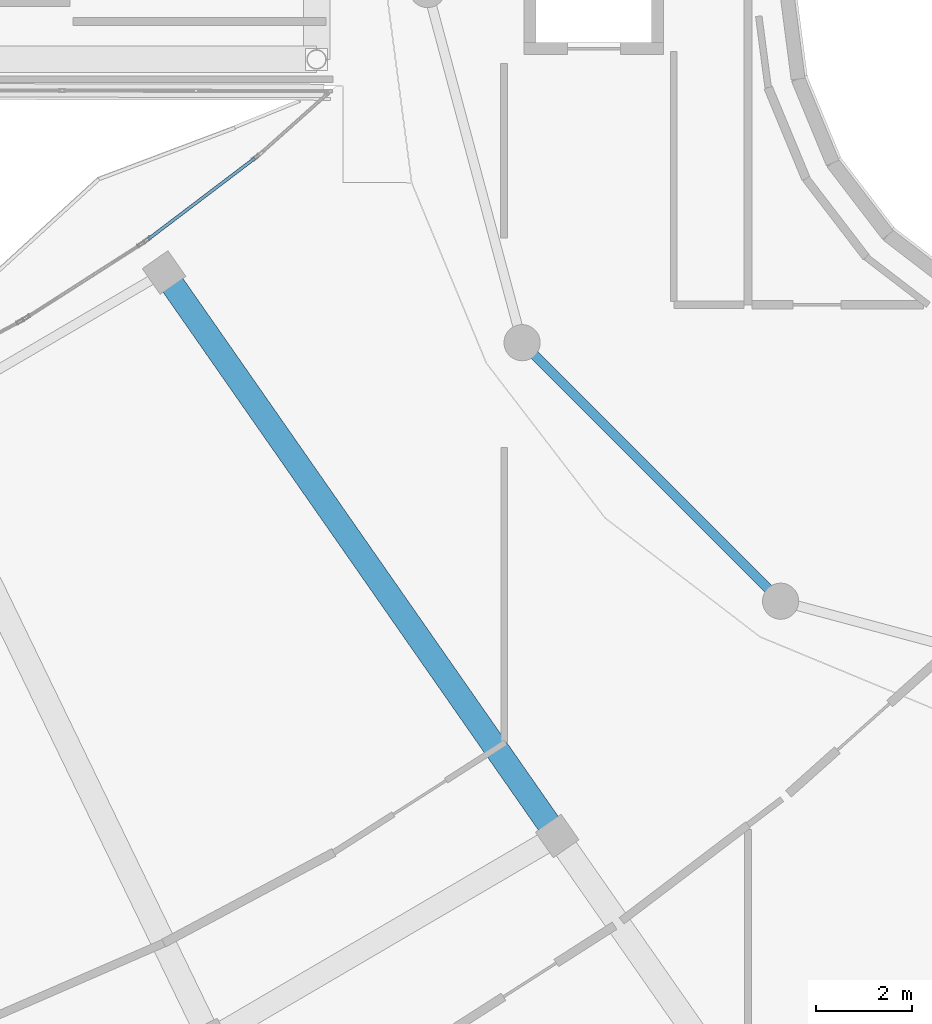
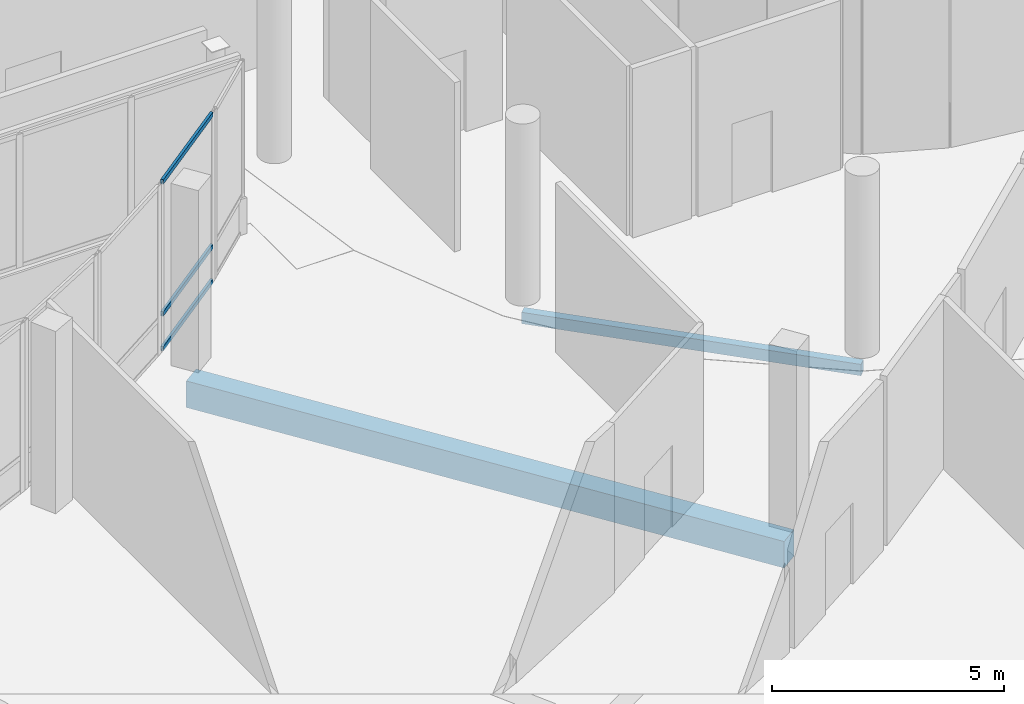
# One storey, part 45 of 155: 3 members, 2 beams, 1 element without a shape of its own.
"""IFC4 building model written with IfcOpenShell, lengths in metres."""

from ifc_helpers import new_model, si_unit, direction, frame, origin, origin_2d, place, context, subcontext, project, spatial, rectangle, hollow_rectangle, extrude, material, material_profile, profile_set, type_object, element, aggregate, save


model = new_model("IFC4")

# Units and contexts
model_context = context("Model", 3, precision=1e-05, world=origin(), true_north=direction((0.0, 1.0)))
body_context = subcontext(model_context, "Body", "Model", "MODEL_VIEW")
ifc_project = project(units=[si_unit("LENGTHUNIT", "METRE"), si_unit("AREAUNIT", "SQUARE_METRE"), si_unit("VOLUMEUNIT", "CUBIC_METRE"), si_unit("PLANEANGLEUNIT", "RADIAN"), si_unit("MASSUNIT", "GRAM", prefix="KILO")], contexts=[model_context])

# Site, building, storey
site_placement = place(None, origin())
site = spatial("IfcSite", under=ifc_project, at=site_placement, CompositionType="ELEMENT")
building_placement = place(site_placement, origin())
building = spatial("IfcBuilding", under=site, at=building_placement, Name="Selatvlak General Hospital", CompositionType="ELEMENT")
storey_placement = place(building_placement, frame((0.0, 0.0, 10.199951171875)))
storey = spatial("IfcBuildingStorey", under=building, at=storey_placement, Name="L02", CompositionType="ELEMENT", Elevation=10.199951171875)

# Beams
ifc_material_1 = material(Name="Concrete C40/50", Category="concrete")
ifc_material_profile_1 = material_profile(ifc_material_1, rectangle(XDim=0.5, YDim=0.699951171875, at=origin_2d()), Name="RC-BM 500x700")
ifc_profile_set_1 = profile_set([ifc_material_profile_1], Name="Concrete C40/50")
beam_type_1 = type_object("IfcBeamType", Name="BM-G03", PredefinedType="BEAM", material=ifc_profile_set_1)
beam_1_placement = place(storey_placement, frame((77.886962890625, 48.131103515625, -0.704833984375), z_axis=(0.572196870903, -0.820116297198, 0.0), x_axis=(0.820116297198, 0.572196870903, 0.0)))
element("IfcBeam", 1, at=beam_1_placement, inside=storey, type_object=beam_type_1, Name="Beam BMR-L02-1119", PredefinedType="BEAM", context=body_context, shape_type="SweptSolid", body=[
    extrude(rectangle(XDim=0.5, YDim=0.699951171875, at=origin_2d()), origin(), (0.0, 0.0, 1.0), 14.25048828125),
])
ifc_material_2 = material(Name="Steel S355", Category="steel")
ifc_material_profile_2 = material_profile(ifc_material_2, hollow_rectangle(XDim=0.199951171875, YDim=0.300048828125, WallThickness=0.011962890625, at=origin_2d()), Name="RHS 300x200x12")
ifc_profile_set_2 = profile_set([ifc_material_profile_2], Name="Steel S355")
beam_type_2 = type_object("IfcBeamType", Name="BM-SP3", PredefinedType="SPANDREL", material=ifc_profile_set_2)
beam_2_placement = place(storey_placement, frame((85.31298828125, 46.675048828125, -0.5048828125), z_axis=(0.707106781187, -0.707106781187, 0.0), x_axis=(0.707106781187, 0.707106781187, 0.0)))
element("IfcBeam", 2, at=beam_2_placement, inside=storey, type_object=beam_type_2, Name="Beam BMR-L02-1094", PredefinedType="SPANDREL", context=body_context, shape_type="SweptSolid", body=[
    extrude(hollow_rectangle(XDim=0.199951171875, YDim=0.300048828125, WallThickness=0.011962890625, at=origin_2d()), origin(), (0.0, 0.0, 1.0), 7.5830078125),
])

# Curtain wall, members
ifc_material_3 = material(Name="Solar-control Low-E double glazing", Category="glass")
curtain_wall_type = type_object("IfcCurtainWallType", Name="CW-CW-01", PredefinedType="USERDEFINED", material=ifc_material_3)
curtain_wall_placement = place(storey_placement, origin())
curtain_wall = element("IfcCurtainWall", 3, at=curtain_wall_placement, inside=storey, type_object=curtain_wall_type, Name="Glazed facade curtain wall CW-L02-0337", ObjectType="UNITISED CURTAIN WALL", PredefinedType="USERDEFINED")
ifc_material_4 = material(Name="Dark anodised aluminium mullion", Category="aluminium")
ifc_material_profile_3 = material_profile(ifc_material_4, hollow_rectangle(XDim=0.06494140625, YDim=0.1201171875, WallThickness=0.00390625, at=origin_2d()), Name="AL-TRN 65x120x4")
ifc_profile_set_3 = profile_set([ifc_material_profile_3], Name="Dark anodised aluminium mullion")
member_type = type_object("IfcMemberType", Name="CWT-01", PredefinedType="USERDEFINED", material=ifc_profile_set_3)
member_1_placement = place(storey_placement, frame((77.559814453125, 48.8232421875, 0.032470703125), z_axis=(0.796549288626, 0.604573594189, 0.0), x_axis=(-0.604573594189, 0.796549288626, 0.0)))
member_1 = element("IfcMember", 4, at=member_1_placement, type_object=member_type, Name="CW-01 transom 1.1", ObjectType="TRANSOM", PredefinedType="USERDEFINED", context=body_context, shape_type="SweptSolid", body=[
    extrude(hollow_rectangle(XDim=0.06494140625, YDim=0.1201171875, WallThickness=0.00390625, at=origin_2d()), origin(), (0.0, 0.0, 1.0), 2.769775390625),
])
member_2_placement = place(storey_placement, frame((77.559814453125, 48.8232421875, 0.949951171875), z_axis=(0.796549288626, 0.604573594189, 0.0), x_axis=(-0.604573594189, 0.796549288626, 0.0)))
member_2 = element("IfcMember", 5, at=member_2_placement, type_object=member_type, Name="CW-01 transom 1.2", ObjectType="TRANSOM", PredefinedType="USERDEFINED", context=body_context, shape_type="SweptSolid", body=[
    extrude(hollow_rectangle(XDim=0.06494140625, YDim=0.1201171875, WallThickness=0.00390625, at=origin_2d()), origin(), (0.0, 0.0, 1.0), 2.769775390625),
])
member_3_placement = place(storey_placement, frame((77.559814453125, 48.8232421875, 4.427490234375), z_axis=(0.796549288626, 0.604573594189, 0.0), x_axis=(-0.604573594189, 0.796549288626, 0.0)))
member_3 = element("IfcMember", 6, at=member_3_placement, type_object=member_type, Name="CW-01 transom 1.3", ObjectType="TRANSOM", PredefinedType="USERDEFINED", context=body_context, shape_type="SweptSolid", body=[
    extrude(hollow_rectangle(XDim=0.06494140625, YDim=0.1201171875, WallThickness=0.00390625, at=origin_2d()), origin(), (0.0, 0.0, 1.0), 2.769775390625),
])
aggregate(curtain_wall, [member_1, member_2, member_3])

save(model, "model.ifc")
